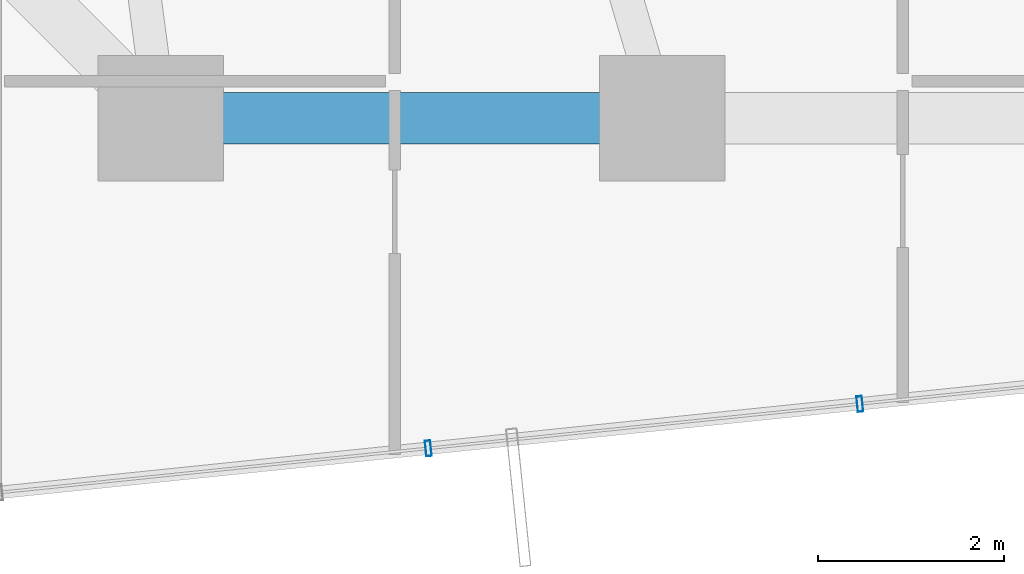
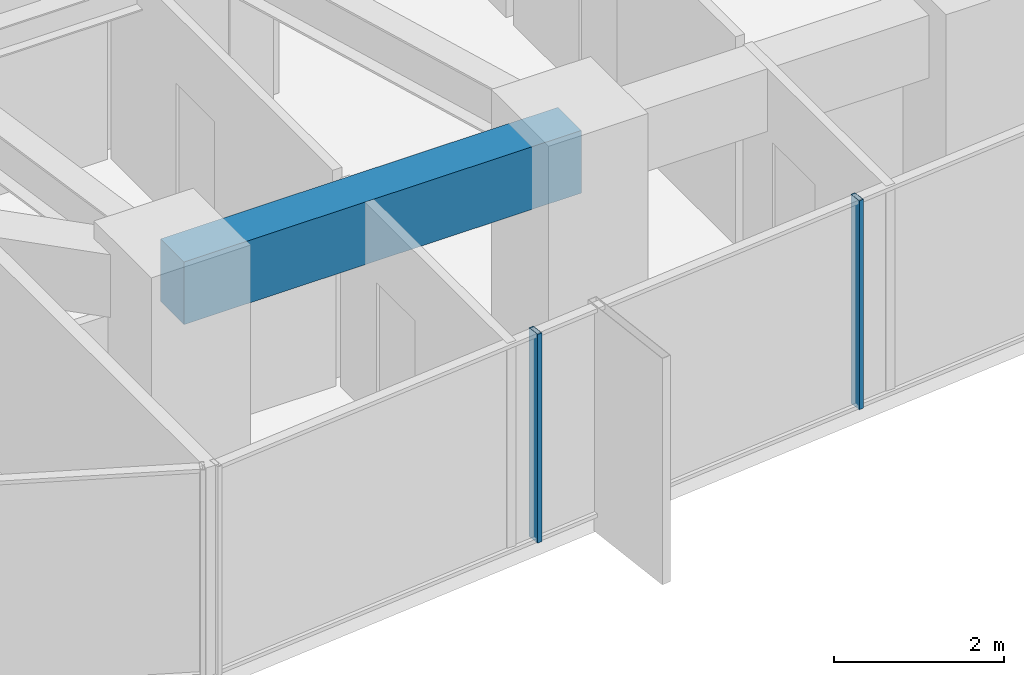
# One storey, part 6 of 37: 2 members, 1 beam, 1 element without a shape of its own.
"""IFC4 building model written with IfcOpenShell, lengths in metres."""

from ifc_helpers import new_model, si_unit, direction, frame, origin, origin_2d, place, context, subcontext, project, spatial, rectangle, hollow_rectangle, extrude, source, transform, mapped, material, layer, layer_set, material_profile, profile_set, type_object, element, aggregate, save


model = new_model("IFC4")

# Units and contexts
model_context = context("Model", 3, precision=1e-05, world=origin(), true_north=direction((0.0, 1.0)))
body_context = subcontext(model_context, "Body", "Model", "MODEL_VIEW")
ifc_project = project(units=[si_unit("LENGTHUNIT", "METRE"), si_unit("AREAUNIT", "SQUARE_METRE"), si_unit("VOLUMEUNIT", "CUBIC_METRE"), si_unit("PLANEANGLEUNIT", "RADIAN"), si_unit("MASSUNIT", "GRAM", prefix="KILO")], contexts=[model_context])

# Site, building, storey
site_placement = place(None, origin())
site = spatial("IfcSite", under=ifc_project, at=site_placement, CompositionType="ELEMENT")
building_placement = place(site_placement, origin())
building = spatial("IfcBuilding", under=site, at=building_placement, Name="Veraguas Prism Commons", CompositionType="ELEMENT")
storey_placement = place(building_placement, frame((0.0, 0.0, 43.550048828125)))
storey = spatial("IfcBuildingStorey", under=building, at=storey_placement, Name="L11", CompositionType="ELEMENT", Elevation=43.550048828125)

# Beam
ifc_material_1 = material(Name="Concrete C50/60", Category="concrete")
ifc_material_profile_1 = material_profile(ifc_material_1, rectangle(XDim=0.550048828125, YDim=0.89990234375, at=origin_2d()), Name="RC550X900")
ifc_profile_set_1 = profile_set([ifc_material_profile_1], Name="Concrete C50/60")
beam_type = type_object("IfcBeamType", Name="Perimeter Spandrel Lower RC 550x900", PredefinedType="SPANDREL", material=ifc_profile_set_1)
beam_placement = place(storey_placement, frame((18.60009765625, 6.39990234375, 2.550048828125), z_axis=(1.0, 0.0, 0.0), x_axis=(0.0, 1.0, 0.0)))
element("IfcBeam", 1, at=beam_placement, inside=storey, type_object=beam_type, Name="Perimeter Spandrel Beam L11-SP10", PredefinedType="SPANDREL", context=body_context, shape_type="SweptSolid", body=[
    extrude(rectangle(XDim=0.550048828125, YDim=0.89990234375, at=origin_2d()), origin(), (0.0, 0.0, 1.0), 5.39990234375),
])

# Curtain wall, members
ifc_material_2 = material(Name="Anodised aluminium EN AW-6063 T6", Category="aluminium")
ifc_layer = layer(ifc_material_2, 0.169921875, Name="Unitised Flush Curtain Wall Zone 1", Category="aluminium")
ifc_layer_set = layer_set([ifc_layer], Name="Anodised aluminium EN AW-6063 T6")
curtain_wall_type = type_object("IfcCurtainWallType", Name="Unitised Flush Curtain Wall Zone 1", PredefinedType="NOTDEFINED", material=ifc_layer_set)
curtain_wall_placement = place(storey_placement, origin())
curtain_wall = element("IfcCurtainWall", 2, at=curtain_wall_placement, inside=storey, type_object=curtain_wall_type, Name="Tower Facade Curtain Wall L11-F5", PredefinedType="NOTDEFINED")
ifc_material_profile_2 = material_profile(ifc_material_2, hollow_rectangle(XDim=0.06005859375, YDim=0.169921875, WallThickness=0.00390625, at=origin_2d()), Name="AL60X170X4")
ifc_profile_set_2 = profile_set([ifc_material_profile_2], Name="Anodised aluminium EN AW-6063 T6")
member_type = type_object("IfcMemberType", Name="Curtain Wall Mullion Lower AL 60x170x4", PredefinedType="MULLION", material=ifc_profile_set_2)
shared_shape = source(origin(), body_context, "Body", "SweptSolid", [
    extrude(hollow_rectangle(XDim=0.06005859375, YDim=0.169921875, WallThickness=0.00390625, at=origin_2d()), origin(), (0.0, 0.0, 1.0), 3.0),
])
member_1_placement = place(storey_placement, frame((21.48291015625, 2.84619140625, 0.0), z_axis=(0.0, 0.0, 1.0), x_axis=(0.994738459078, 0.102447049893, 0.0)))
member_1 = element("IfcMember", 3, at=member_1_placement, type_object=member_type, Name="CW-Z1 Mullion 2", PredefinedType="MULLION", context=body_context, shape_type="MappedRepresentation", body=[
    mapped(shared_shape, transform((0.0, 0.0, 0.0), scale=1.0)),
])
member_2_placement = place(storey_placement, frame((26.129150390625, 3.32470703125, 0.0), z_axis=(0.0, 0.0, 1.0), x_axis=(0.994738459078, 0.102447049893, 0.0)))
member_2 = element("IfcMember", 4, at=member_2_placement, type_object=member_type, Name="CW-Z1 Mullion 3", PredefinedType="MULLION", context=body_context, shape_type="MappedRepresentation", body=[
    mapped(shared_shape, transform((0.0, 0.0, 0.0), scale=1.0)),
])
aggregate(curtain_wall, [member_1, member_2])

save(model, "model.ifc")
